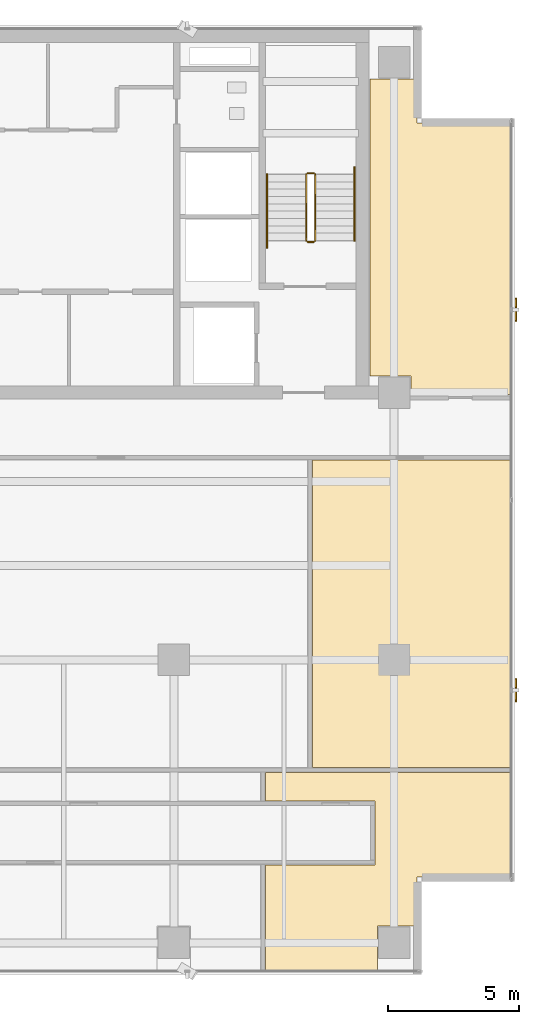
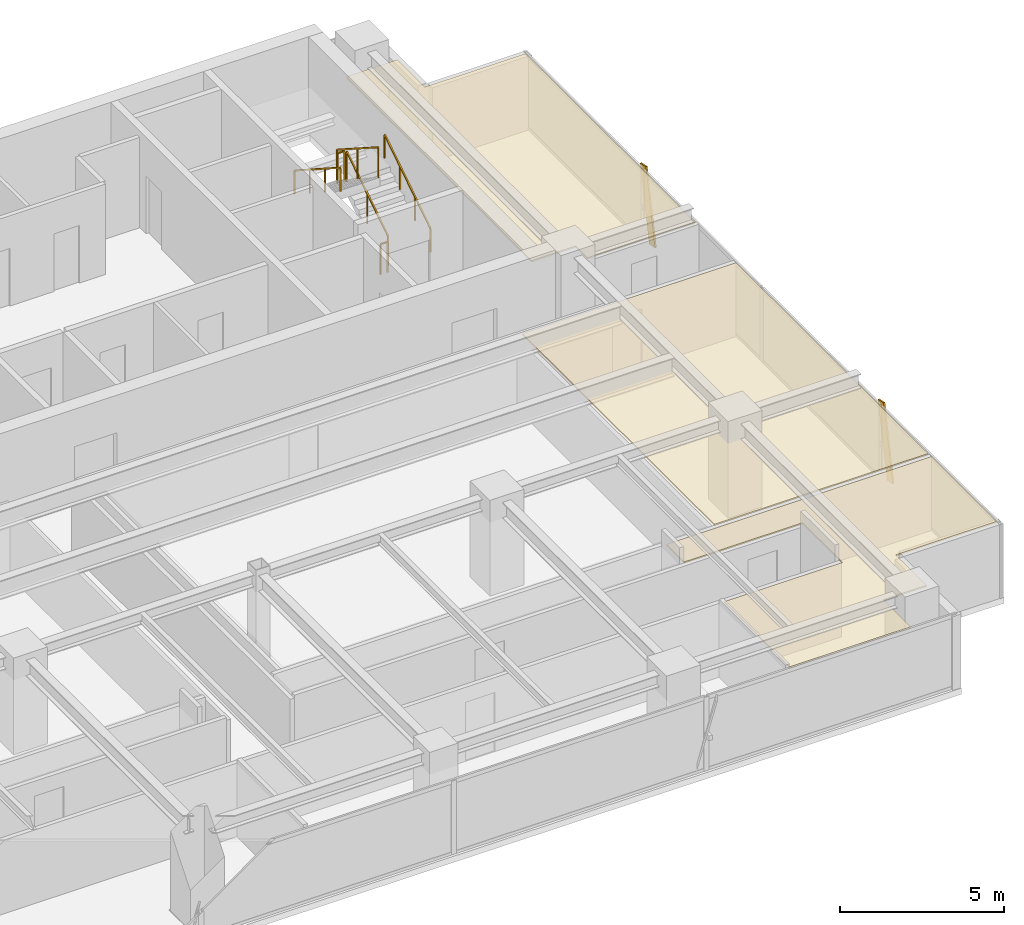
# One storey, part 20 of 22: 6 railings, 3 coverings, 2 shading devices.
"""IFC4 building model written with IfcOpenShell, lengths in metres."""

from ifc_helpers import new_model, si_unit, direction, frame, origin, origin_2d, place, context, subcontext, project, spatial, polyline, rectangle, outline, extrude, source, transform, mapped, material, layer, layer_set, material_profile, profile_set, type_object, element, save


model = new_model("IFC4")

# Units and contexts
model_context = context("Model", 3, precision=1e-05, world=origin(), true_north=direction((0.0, 1.0)))
body_context = subcontext(model_context, "Body", "Model", "MODEL_VIEW")
ifc_project = project(units=[si_unit("LENGTHUNIT", "METRE"), si_unit("AREAUNIT", "SQUARE_METRE"), si_unit("VOLUMEUNIT", "CUBIC_METRE"), si_unit("PLANEANGLEUNIT", "RADIAN"), si_unit("MASSUNIT", "GRAM", prefix="KILO")], contexts=[model_context])

# Site, building, storey
site_placement = place(None, origin())
site = spatial("IfcSite", under=ifc_project, at=site_placement, CompositionType="ELEMENT")
building_placement = place(site_placement, origin())
building = spatial("IfcBuilding", under=site, at=building_placement, Name="Sumidabori Civic Tower", CompositionType="ELEMENT")
storey_placement = place(building_placement, frame((0.0, 0.0, 279.199951171875)))
storey = spatial("IfcBuildingStorey", under=building, at=storey_placement, Name="L73", CompositionType="ELEMENT", Elevation=279.199951171875)

# Coverings
ifc_material_1 = material(Name="Anodised Bronze Baffle Ceiling")
ifc_layer = layer(ifc_material_1, 0.054931640625, Name="Anodised Bronze Baffle Ceiling")
ifc_layer_set = layer_set([ifc_layer], Name="Anodised Bronze Baffle Ceiling")
covering_type = type_object("IfcCoveringType", Name="CV-CEIL-AC3", PredefinedType="CEILING", material=ifc_layer_set)
covering_1_placement = place(storey_placement, frame((0.0, 0.0, 2.719970703125)))
element("IfcCovering", 1, at=covering_1_placement, inside=storey, type_object=covering_type, Name="Room Acoustic Ceiling L73-02", PredefinedType="CEILING", context=body_context, shape_type="SweptSolid", body=[
    extrude(outline(polyline([(17.679931640625, 22.159912109375), (17.679931640625, 20.47998046875), (21.22998046875, 20.47998046875), (21.22998046875, 10.1201171875), (17.43994140625, 10.1201171875), (17.43994140625, 10.840087890625), (15.8779296875, 10.840087890625), (15.8779296875, 22.159912109375), (17.679931640625, 22.159912109375)])), origin(), (0.0, 0.0, 1.0), 0.05517578125),
])
covering_2_placement = place(storey_placement, frame((0.0, 0.0, 2.719970703125)))
element("IfcCovering", 2, at=covering_2_placement, inside=storey, type_object=covering_type, Name="Room Acoustic Ceiling L73-06", PredefinedType="CEILING", context=body_context, shape_type="SweptSolid", body=[
    extrude(outline(polyline([(13.695068359375, 7.6298828125), (21.22998046875, 7.6298828125), (21.22998046875, -4.10498046875), (13.695068359375, -4.10498046875), (13.695068359375, 7.6298828125)])), origin(), (0.0, 0.0, 1.0), 0.05517578125),
])
covering_3_placement = place(storey_placement, frame((0.0, 0.0, 2.719970703125)))
element("IfcCovering", 3, at=covering_3_placement, inside=storey, type_object=covering_type, Name="Room Acoustic Ceiling L73-08", PredefinedType="CEILING", context=body_context, shape_type="SweptSolid", body=[
    extrude(outline(polyline([(16.070068359375, -7.820068359375), (16.070068359375, -5.3798828125), (11.89501953125, -5.3798828125), (11.89501953125, -4.294921875), (21.22998046875, -4.294921875), (21.22998046875, -8.280029296875), (17.679931640625, -8.280029296875), (17.679931640625, -10.159912109375), (16.159912109375, -10.159912109375), (16.159912109375, -11.830078125), (11.89501953125, -11.830078125), (11.89501953125, -7.820068359375), (16.070068359375, -7.820068359375)])), origin(), (0.0, 0.0, 1.0), 0.05517578125),
])

# Railings
ifc_material_2 = material(Name="Stainless Steel Hairline Finish", Category="steel")
railing_type_1 = type_object("IfcRailingType", Name="RL-HANDRAIL", PredefinedType="HANDRAIL", material=ifc_material_2)
railing_1_placement = place(storey_placement, frame((15.2900390625, 16.0, 0.179931640625)))
element("IfcRailing", 4, at=railing_1_placement, inside=storey, type_object=railing_type_1, Name="L73 ST-2 stair handrail 1", PredefinedType="HANDRAIL", context=body_context, shape_type="SweptSolid", body=[
    extrude(rectangle(XDim=0.048095703125, YDim=0.048095703125, at=origin_2d()), frame((0.0, 0.0, 0.8759765625), z_axis=(0.0, 0.84064222762, 0.54159084662), x_axis=(-1.0, 0.0, 0.0)), (0.0, 0.0, 1.0), 3.330810546875),
    extrude(rectangle(XDim=0.0419921875, YDim=0.0419921875, at=origin_2d()), origin(), (0.0, 0.0, 1.0), 0.851806640625),
    extrude(rectangle(XDim=0.0419921875, YDim=0.0419921875, at=origin_2d()), frame((0.0, 0.933349609375, 0.601318359375)), (0.0, 0.0, 1.0), 0.851806640625),
    extrude(rectangle(XDim=0.0419921875, YDim=0.0419921875, at=origin_2d()), frame((0.0, 1.86669921875, 1.20263671875)), (0.0, 0.0, 1.0), 0.851806640625),
    extrude(rectangle(XDim=0.0419921875, YDim=0.0419921875, at=origin_2d()), frame((0.0, 2.800048828125, 1.803955078125)), (0.0, 0.0, 1.0), 0.851806640625),
])
railing_2_placement = place(storey_placement, frame((11.949951171875, 18.52001953125, 1.97998046875)))
element("IfcRailing", 5, at=railing_2_placement, inside=storey, type_object=railing_type_1, Name="L73 ST-2 stair handrail 2", PredefinedType="HANDRAIL", context=body_context, shape_type="SweptSolid", body=[
    extrude(rectangle(XDim=0.048095703125, YDim=0.048095703125, at=origin_2d()), frame((0.0, 0.0, 0.8759765625), z_axis=(0.0, -0.84064222762, 0.54159084662), x_axis=(1.0, 0.0, 0.0)), (0.0, 0.0, 1.0), 3.330810546875),
    extrude(rectangle(XDim=0.0419921875, YDim=0.0419921875, at=origin_2d()), origin(), (0.0, 0.0, 1.0), 0.851806640625),
    extrude(rectangle(XDim=0.0419921875, YDim=0.0419921875, at=origin_2d()), frame((0.0, -0.933349609375, 0.601318359375)), (0.0, 0.0, 1.0), 0.851806640625),
    extrude(rectangle(XDim=0.0419921875, YDim=0.0419921875, at=origin_2d()), frame((0.0, -1.86669921875, 1.20263671875)), (0.0, 0.0, 1.0), 0.851806640625),
    extrude(rectangle(XDim=0.0419921875, YDim=0.0419921875, at=origin_2d()), frame((0.0, -2.800048828125, 1.803955078125)), (0.0, 0.0, 1.0), 0.851806640625),
])
ifc_material_3 = material(Name="Steel SN490", Category="steel")
railing_type_2 = type_object("IfcRailingType", Name="RL-STAIR-GUARD", PredefinedType="GUARDRAIL", material=ifc_material_3)
railing_3_placement = place(storey_placement, frame((13.7900390625, 16.0, 0.179931640625)))
element("IfcRailing", 6, at=railing_3_placement, inside=storey, type_object=railing_type_2, Name="L73 ST-2 stair guard 1", PredefinedType="GUARDRAIL", context=body_context, shape_type="SweptSolid", body=[
    extrude(rectangle(XDim=0.048095703125, YDim=0.048095703125, at=origin_2d()), frame((0.0, 0.0, 1.1259765625), z_axis=(0.0, 0.841162588446, 0.540782303519), x_axis=(-1.0, 0.0, 0.0)), (0.0, 0.0, 1.0), 2.995849609375),
    extrude(rectangle(XDim=0.0419921875, YDim=0.0419921875, at=origin_2d()), origin(), (0.0, 0.0, 1.0), 1.101806640625),
    extrude(rectangle(XDim=0.0419921875, YDim=0.0419921875, at=origin_2d()), frame((0.0, 1.260009765625, 0.81005859375)), (0.0, 0.0, 1.0), 1.101806640625),
    extrude(rectangle(XDim=0.0419921875, YDim=0.0419921875, at=origin_2d()), frame((0.0, 2.52001953125, 1.6201171875)), (0.0, 0.0, 1.0), 1.101806640625),
])
railing_4_placement = place(storey_placement, frame((13.739990234375, 18.570068359375, 1.800048828125)))
element("IfcRailing", 7, at=railing_4_placement, inside=storey, type_object=railing_type_2, Name="L73 ST-2 stair guard 2", PredefinedType="GUARDRAIL", context=body_context, shape_type="SweptSolid", body=[
    extrude(rectangle(XDim=0.048095703125, YDim=0.048095703125, at=origin_2d()), frame((0.0, 0.0, 1.1259765625), z_axis=(-1.0, 0.0, 0.0), x_axis=(0.0, -1.0, 0.0)), (0.0, 0.0, 1.0), 0.239990234375),
    extrude(rectangle(XDim=0.0419921875, YDim=0.0419921875, at=origin_2d()), origin(), (0.0, 0.0, 1.0), 1.101806640625),
    extrude(rectangle(XDim=0.0419921875, YDim=0.0419921875, at=origin_2d()), frame((-0.239990234375, 0.0, 0.0)), (0.0, 0.0, 1.0), 1.101806640625),
])
railing_5_placement = place(storey_placement, frame((13.449951171875, 18.52001953125, 1.97998046875)))
element("IfcRailing", 8, at=railing_5_placement, inside=storey, type_object=railing_type_2, Name="L73 ST-2 stair guard 3", PredefinedType="GUARDRAIL", context=body_context, shape_type="SweptSolid", body=[
    extrude(rectangle(XDim=0.048095703125, YDim=0.048095703125, at=origin_2d()), frame((0.0, 0.0, 1.1259765625), z_axis=(0.0, -0.841162588446, 0.540782303519), x_axis=(1.0, 0.0, 0.0)), (0.0, 0.0, 1.0), 2.995849609375),
    extrude(rectangle(XDim=0.0419921875, YDim=0.0419921875, at=origin_2d()), origin(), (0.0, 0.0, 1.0), 1.101806640625),
    extrude(rectangle(XDim=0.0419921875, YDim=0.0419921875, at=origin_2d()), frame((0.0, -1.260009765625, 0.81005859375)), (0.0, 0.0, 1.0), 1.101806640625),
    extrude(rectangle(XDim=0.0419921875, YDim=0.0419921875, at=origin_2d()), frame((0.0, -2.52001953125, 1.6201171875)), (0.0, 0.0, 1.0), 1.101806640625),
])
railing_6_placement = place(storey_placement, frame((13.739990234375, 15.949951171875, 0.0)))
element("IfcRailing", 9, at=railing_6_placement, inside=storey, type_object=railing_type_2, Name="L73 ST-2 stair guard 4", PredefinedType="GUARDRAIL", context=body_context, shape_type="SweptSolid", body=[
    extrude(rectangle(XDim=0.048095703125, YDim=0.048095703125, at=origin_2d()), frame((0.0, 0.0, 1.1259765625), z_axis=(-1.0, 0.0, 0.0), x_axis=(0.0, -1.0, 0.0)), (0.0, 0.0, 1.0), 0.239990234375),
    extrude(rectangle(XDim=0.0419921875, YDim=0.0419921875, at=origin_2d()), origin(), (0.0, 0.0, 1.0), 1.101806640625),
    extrude(rectangle(XDim=0.0419921875, YDim=0.0419921875, at=origin_2d()), frame((-0.239990234375, 0.0, 0.0)), (0.0, 0.0, 1.0), 1.101806640625),
])

# Shading devices
ifc_material_4 = material(Name="Anodised Bronze Aluminium AW-6063-T6", Category="aluminium")
ifc_material_profile = material_profile(ifc_material_4, rectangle(XDim=0.054931640625, YDim=0.360107421875, at=origin_2d()), Name="BRONZE FIN 360x55")
ifc_profile_set = profile_set([ifc_material_profile], Name="Anodised Bronze Aluminium AW-6063-T6")
shading_device_type = type_object("IfcShadingDeviceType", Name="SH-FIN-360", PredefinedType="USERDEFINED", material=ifc_profile_set)
shared_shape = source(origin(), body_context, "Body", "SweptSolid", [
    extrude(rectangle(XDim=0.054931640625, YDim=0.360107421875, at=origin_2d()), origin(), (0.0, 0.0, 1.0), 2.74755859375),
])
for number, where, z_axis, x_axis, name in (
    (10, (21.449951171875, -1.43994140625, 0.02001953125), (0.0, 0.20383361069, 0.979005546028), (-1.0, 0.0, 0.0), "Bronze Anodised Diagonal Fin L73-01"),
    (11, (21.449951171875, 13.080078125, 0.02001953125), (0.0, 0.203748445037, 0.979023274057), (-1.0, 0.0, 0.0), "Bronze Anodised Diagonal Fin L73-03"),
):
    element("IfcShadingDevice", number, at=place(storey_placement, frame(where, z_axis=z_axis, x_axis=x_axis)), inside=storey, type_object=shading_device_type, Name=name, ObjectType="FIN", PredefinedType="USERDEFINED", context=body_context, shape_type="MappedRepresentation", body=[
        mapped(shared_shape, transform((0.0, 0.0, 0.0), x_axis=(1.0, 0.0, 0.0), y_axis=(0.0, 1.0, 0.0), z_axis=(0.0, 0.0, 1.0), scale=1.0)),
    ])

save(model, "model.ifc")
